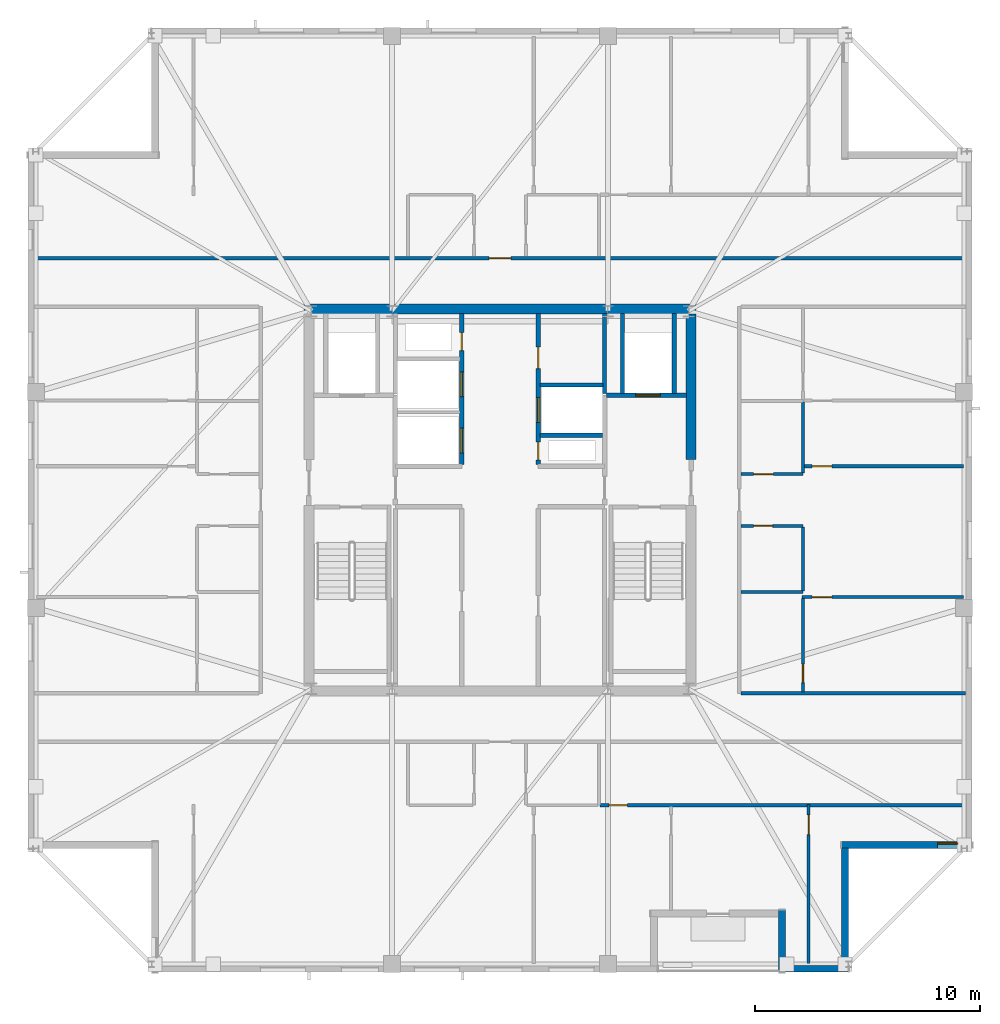
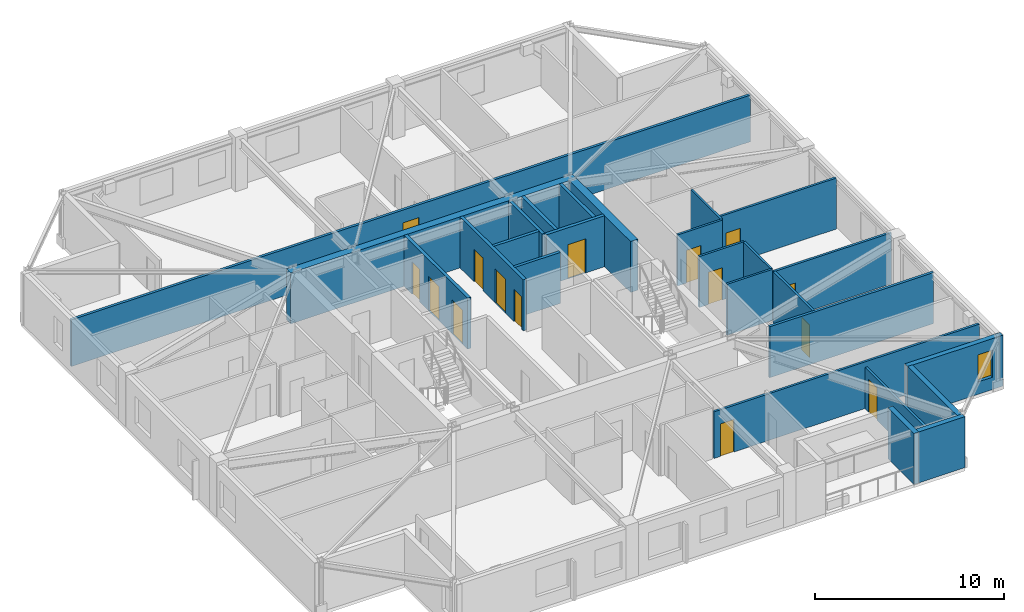
# One storey, part 9 of 15: 26 walls, 15 doors, 1 window, 16 openings.
"""IFC4 building model written with IfcOpenShell, lengths in metres."""

from ifc_helpers import new_model, si_unit, direction, frame, frame_2d, origin, place, context, subcontext, project, spatial, rectangle, extrude, material, layer, layer_set, type_object, element, fill, save


model = new_model("IFC4")

# Units and contexts
model_context = context("Model", 3, precision=1e-05, world=origin(), true_north=direction((0.0, 1.0)))
body_context = subcontext(model_context, "Body", "Model", "MODEL_VIEW")
ifc_project = project(units=[si_unit("LENGTHUNIT", "METRE"), si_unit("AREAUNIT", "SQUARE_METRE"), si_unit("VOLUMEUNIT", "CUBIC_METRE"), si_unit("PLANEANGLEUNIT", "RADIAN"), si_unit("MASSUNIT", "GRAM", prefix="KILO")], contexts=[model_context])

# Site, building, storey
site_placement = place(None, origin())
site = spatial("IfcSite", under=ifc_project, at=site_placement, CompositionType="ELEMENT")
building_placement = place(site_placement, origin())
building = spatial("IfcBuilding", under=site, at=building_placement, Name="Cairnveth Concourse Tower", CompositionType="ELEMENT")
storey_placement = place(building_placement, frame((0.0, 0.0, 287.5)))
storey = spatial("IfcBuildingStorey", under=building, at=storey_placement, Name="L79", CompositionType="ELEMENT", Elevation=287.5)

# Wall, opening, door
ifc_material_1 = material(Name="Gypsum Plasterboard Partition", Category="gypsum")
ifc_layer_1 = layer(ifc_material_1, 0.159912109375)
ifc_layer_set_1 = layer_set([ifc_layer_1], Name="Gypsum Plasterboard Partition")
wall_type_1 = type_object("IfcWallType", Name="ACOUSTIC PARTY WALL 180", PredefinedType="PARTITIONING", material=ifc_layer_set_1)
wall_1_placement = place(storey_placement, frame((31.284912109375, 49.75, 0.0), z_axis=(0.0, 0.0, 1.0), x_axis=(1.0, 0.0, 0.0)))
wall_1 = element("IfcWall", 1, at=wall_1_placement, inside=storey, type_object=wall_type_1, Name="Interior Wall IW-L79-034", PredefinedType="PARTITIONING", context=body_context, shape_type="SweptSolid", body=[
    extrude(rectangle(XDim=41.43017578125, YDim=0.159912109375, at=frame_2d((20.715087890625, 0.0))), origin(), (0.0, 0.0, 1.0), 3.009033203125),
])
opening_1_placement = place(wall_1_placement, frame((20.235107421875, 0.0, 0.0)))
opening_1 = element("IfcOpeningElement", 2, at=opening_1_placement, cuts=wall_1, Name="Opening ID10", PredefinedType="OPENING", context=body_context, shape_type="SweptSolid", body=[
    extrude(rectangle(XDim=0.9599609375, YDim=2.179931640625, at=frame_2d((0.47998046875, 1.08984375))), frame((0.0, 0.08984375, 0.0), z_axis=(0.0, -1.0, 0.0), x_axis=(1.0, 0.0, 0.0)), (0.0, 0.0, 1.0), 0.179931640625),
])
ifc_material_2 = material(Name="Solid Core Hardwood Timber Leaf", Category="wood")
door_type_1 = type_object("IfcDoorType", Name="FLAT ENTRANCE DOOR 960X2150", OperationType="NOTDEFINED", PredefinedType="DOOR", material=ifc_material_2)
door_1_placement = place(opening_1_placement, origin())
door_1 = element("IfcDoor", 3, at=door_1_placement, inside=storey, type_object=door_type_1, Name="Penthouse L79PN1 Entrance Door", OperationType="SINGLE_SWING_RIGHT", OverallHeight=2.179931640625, OverallWidth=0.9599609375, PredefinedType="DOOR", context=body_context, shape_type="SweptSolid", body=[
    extrude(rectangle(XDim=0.9599609375, YDim=2.179931640625, at=frame_2d((0.47998046875, 1.08984375))), frame((0.0, 0.02490234375, 0.0), z_axis=(0.0, -1.0, 0.0), x_axis=(1.0, 0.0, 0.0)), (0.0, 0.0, 1.0), 0.050048828125),
])
fill(opening_1, door_1)

# Walls
wall_2_placement = place(storey_placement, frame((62.715087890625, 30.39990234375, 0.0), z_axis=(0.0, 0.0, 1.0), x_axis=(1.0, 0.0, 0.0)))
element("IfcWall", 4, at=wall_2_placement, inside=storey, type_object=wall_type_1, Name="Interior Wall IW-L79-039", PredefinedType="PARTITIONING", context=body_context, shape_type="SweptSolid", body=[
    extrude(rectangle(XDim=10.0, YDim=0.159912109375, at=frame_2d((5.0, 0.0))), origin(), (0.0, 0.0, 1.0), 3.2900390625),
])
ifc_material_3 = material(Name="Concrete N65 (65 MPa)", Category="concrete")
ifc_layer_2 = layer(ifc_material_3, 0.449951171875)
ifc_layer_set_2 = layer_set([ifc_layer_2], Name="Concrete N65 (65 MPa)")
wall_type_2 = type_object("IfcWallType", Name="CORE SHEAR WALL 450", PredefinedType="SHEAR", material=ifc_layer_set_2)
wall_3_placement = place(storey_placement, frame((43.27490234375, 47.5, 0.0), z_axis=(0.0, 0.0, 1.0), x_axis=(1.0, 0.0, 0.0)))
element("IfcWall", 5, at=wall_3_placement, inside=storey, type_object=wall_type_2, Name="Core North Shear Wall L79", PredefinedType="SHEAR", context=body_context, shape_type="SweptSolid", body=[
    extrude(rectangle(XDim=17.4501953125, YDim=0.449951171875, at=frame_2d((8.72509765625, 0.0))), origin(), (0.0, 0.0, 1.0), 3.2900390625),
])
wall_4_placement = place(storey_placement, frame((60.5, 40.800048828125, 0.0), z_axis=(0.0, 0.0, 1.0), x_axis=(0.0, 1.0, 0.0)))
element("IfcWall", 6, at=wall_4_placement, inside=storey, type_object=wall_type_2, Name="Core East Shear Wall N L79", PredefinedType="SHEAR", context=body_context, shape_type="SweptSolid", body=[
    extrude(rectangle(XDim=6.48486328125, YDim=0.449951171875, at=frame_2d((3.242431640625, 0.0))), origin(), (0.0, 0.0, 1.0), 3.2900390625),
])
ifc_material_4 = material(Name="Concrete N50 (50 MPa)", Category="concrete")
ifc_layer_3 = layer(ifc_material_4, 0.179931640625)
ifc_layer_set_3 = layer_set([ifc_layer_3], Name="Concrete N50 (50 MPa)")
wall_type_3 = type_object("IfcWallType", Name="FIRE SHAFT WALL 180", PredefinedType="SOLIDWALL", material=ifc_layer_set_3)
wall_5_placement = place(storey_placement, frame((56.64990234375, 43.735107421875, 0.0), z_axis=(0.0, 0.0, 1.0), x_axis=(0.0, 1.0, 0.0)))
element("IfcWall", 7, at=wall_5_placement, inside=storey, type_object=wall_type_3, Name="Interior Wall IW-L79-030", PredefinedType="SOLIDWALL", context=body_context, shape_type="SweptSolid", body=[
    extrude(rectangle(XDim=3.554931640625, YDim=0.179931640625, at=frame_2d((1.77734375, 0.0))), origin(), (0.0, 0.0, 1.0), 3.2900390625),
])
wall_6_placement = place(storey_placement, frame((53.784912109375, 41.8798828125, 0.0), z_axis=(0.0, 0.0, 1.0), x_axis=(1.0, 0.0, 0.0)))
element("IfcWall", 8, at=wall_6_placement, inside=storey, type_object=wall_type_3, Name="Interior Wall IW-L79-031", PredefinedType="SOLIDWALL", context=body_context, shape_type="SweptSolid", body=[
    extrude(rectangle(XDim=2.780029296875, YDim=0.179931640625, at=frame_2d((1.39013671875, 0.0))), origin(), (0.0, 0.0, 1.0), 3.2900390625),
])
wall_7_placement = place(storey_placement, frame((53.784912109375, 44.1201171875, 0.0), z_axis=(0.0, 0.0, 1.0), x_axis=(1.0, 0.0, 0.0)))
element("IfcWall", 9, at=wall_7_placement, inside=storey, type_object=wall_type_3, Name="Interior Wall IW-L79-032", PredefinedType="SOLIDWALL", context=body_context, shape_type="SweptSolid", body=[
    extrude(rectangle(XDim=2.7900390625, YDim=0.179931640625, at=frame_2d((1.39501953125, 0.0))), origin(), (0.0, 0.0, 1.0), 3.2900390625),
])

# Wall, openings, doors
ifc_layer_4 = layer(ifc_material_4, 0.199951171875)
ifc_layer_set_4 = layer_set([ifc_layer_4], Name="Concrete N50 (50 MPa)")
wall_type_4 = type_object("IfcWallType", Name="FIRE SHAFT WALL 200", PredefinedType="SOLIDWALL", material=ifc_layer_set_4)
wall_8_placement = place(storey_placement, frame((50.300048828125, 40.5849609375, 0.0), z_axis=(0.0, 0.0, 1.0), x_axis=(0.0, 1.0, 0.0)))
wall_8 = element("IfcWall", 10, at=wall_8_placement, inside=storey, type_object=wall_type_4, Name="Interior Wall IW-L79-013", PredefinedType="SOLIDWALL", context=body_context, shape_type="SweptSolid", body=[
    extrude(rectangle(XDim=6.705078125, YDim=0.199951171875, at=frame_2d((3.3525390625, 0.0))), origin(), (0.0, 0.0, 1.0), 3.2900390625),
])
opening_2_placement = place(wall_8_placement, frame((0.514892578125, 0.0, 0.0)))
opening_2 = element("IfcOpeningElement", 11, at=opening_2_placement, cuts=wall_8, Name="Opening LD-1", PredefinedType="OPENING", context=body_context, shape_type="SweptSolid", body=[
    extrude(rectangle(XDim=1.10009765625, YDim=2.199951171875, at=frame_2d((0.550048828125, 1.10009765625))), frame((0.0, 0.10986328125, 0.0), z_axis=(0.0, -1.0, 0.0), x_axis=(1.0, 0.0, 0.0)), (0.0, 0.0, 1.0), 0.219970703125),
])
opening_3_placement = place(wall_8_placement, frame((3.014892578125, 0.0, 0.0)))
opening_3 = element("IfcOpeningElement", 12, at=opening_3_placement, cuts=wall_8, Name="Opening LD-1", PredefinedType="OPENING", context=body_context, shape_type="SweptSolid", body=[
    extrude(rectangle(XDim=1.10009765625, YDim=2.199951171875, at=frame_2d((0.550048828125, 1.10009765625))), frame((0.0, 0.10986328125, 0.0), z_axis=(0.0, -1.0, 0.0), x_axis=(1.0, 0.0, 0.0)), (0.0, 0.0, 1.0), 0.219970703125),
])
opening_4_placement = place(wall_8_placement, frame((5.06494140625, 0.0, 0.0)))
opening_4 = element("IfcOpeningElement", 13, at=opening_4_placement, cuts=wall_8, Name="Opening ID24", PredefinedType="OPENING", context=body_context, shape_type="SweptSolid", body=[
    extrude(rectangle(XDim=0.800048828125, YDim=2.080078125, at=frame_2d((0.39990234375, 1.0400390625))), frame((0.0, 0.10986328125, 0.0), z_axis=(0.0, -1.0, 0.0), x_axis=(1.0, 0.0, 0.0)), (0.0, 0.0, 1.0), 0.219970703125),
])
ifc_material_5 = material(Name="Architectural Bronze Anodised Aluminium 6063-T6", Category="aluminium")
door_type_2 = type_object("IfcDoorType", Name="LIFT LANDING DOOR 1100X2200", OperationType="SLIDING_TO_LEFT", PredefinedType="DOOR", material=ifc_material_5)
door_2_placement = place(opening_2_placement, origin())
door_2 = element("IfcDoor", 14, at=door_2_placement, inside=storey, type_object=door_type_2, Name="Lift PL7 Landing Door L79", OperationType="SLIDING_TO_LEFT", OverallHeight=2.199951171875, OverallWidth=1.10009765625, PredefinedType="DOOR", context=body_context, shape_type="SweptSolid", body=[
    extrude(rectangle(XDim=1.10009765625, YDim=2.199951171875, at=frame_2d((0.550048828125, 1.10009765625))), frame((0.0, 0.02490234375, 0.0), z_axis=(0.0, -1.0, 0.0), x_axis=(1.0, 0.0, 0.0)), (0.0, 0.0, 1.0), 0.050048828125),
])
fill(opening_2, door_2)
door_3_placement = place(opening_3_placement, origin())
door_3 = element("IfcDoor", 15, at=door_3_placement, inside=storey, type_object=door_type_2, Name="Lift PL8 Landing Door L79", OperationType="SLIDING_TO_LEFT", OverallHeight=2.199951171875, OverallWidth=1.10009765625, PredefinedType="DOOR", context=body_context, shape_type="SweptSolid", body=[
    extrude(rectangle(XDim=1.10009765625, YDim=2.199951171875, at=frame_2d((0.550048828125, 1.10009765625))), frame((0.0, 0.02490234375, 0.0), z_axis=(0.0, -1.0, 0.0), x_axis=(1.0, 0.0, 0.0)), (0.0, 0.0, 1.0), 0.050048828125),
])
fill(opening_3, door_3)
ifc_material_6 = material(Name="Steel Grade 350", Category="steel")
door_type_3 = type_object("IfcDoorType", Name="RISER ACCESS DOOR 800X2100", OperationType="NOTDEFINED", PredefinedType="DOOR", material=ifc_material_6)
door_4_placement = place(opening_4_placement, origin())
door_4 = element("IfcDoor", 16, at=door_4_placement, inside=storey, type_object=door_type_3, Name="NW Electrical Riser Access Door L79", OperationType="SINGLE_SWING_LEFT", OverallHeight=2.080078125, OverallWidth=0.800048828125, PredefinedType="DOOR", context=body_context, shape_type="SweptSolid", body=[
    extrude(rectangle(XDim=0.800048828125, YDim=2.080078125, at=frame_2d((0.39990234375, 1.0400390625))), frame((0.0, 0.02490234375, 0.0), z_axis=(0.0, -1.0, 0.0), x_axis=(1.0, 0.0, 0.0)), (0.0, 0.0, 1.0), 0.050048828125),
])
fill(opening_4, door_4)

wall_9_placement = place(storey_placement, frame((53.699951171875, 40.5849609375, 0.0), z_axis=(0.0, 0.0, 1.0), x_axis=(0.0, 1.0, 0.0)))
wall_9 = element("IfcWall", 17, at=wall_9_placement, inside=storey, type_object=wall_type_4, Name="Interior Wall IW-L79-014", PredefinedType="SOLIDWALL", context=body_context, shape_type="SweptSolid", body=[
    extrude(rectangle(XDim=6.705078125, YDim=0.199951171875, at=frame_2d((3.3525390625, 0.0))), origin(), (0.0, 0.0, 1.0), 3.2900390625),
])
opening_5_placement = place(wall_9_placement, frame((0.195068359375, 0.0, 0.0)))
opening_5 = element("IfcOpeningElement", 18, at=opening_5_placement, cuts=wall_9, Name="Opening ID24", PredefinedType="OPENING", context=body_context, shape_type="SweptSolid", body=[
    extrude(rectangle(XDim=0.800048828125, YDim=2.080078125, at=frame_2d((0.39990234375, 1.0400390625))), frame((0.0, 0.10986328125, 0.0), z_axis=(0.0, -1.0, 0.0), x_axis=(1.0, 0.0, 0.0)), (0.0, 0.0, 1.0), 0.219970703125),
])
opening_6_placement = place(wall_9_placement, frame((1.864990234375, 0.0, 0.0)))
opening_6 = element("IfcOpeningElement", 19, at=opening_6_placement, cuts=wall_9, Name="Opening LD-1", PredefinedType="OPENING", context=body_context, shape_type="SweptSolid", body=[
    extrude(rectangle(XDim=1.10009765625, YDim=2.199951171875, at=frame_2d((0.550048828125, 1.10009765625))), frame((0.0, 0.10986328125, 0.0), z_axis=(0.0, -1.0, 0.0), x_axis=(1.0, 0.0, 0.0)), (0.0, 0.0, 1.0), 0.219970703125),
])
opening_7_placement = place(wall_9_placement, frame((4.264892578125, 0.0, 0.0)))
opening_7 = element("IfcOpeningElement", 20, at=opening_7_placement, cuts=wall_9, Name="Opening ID25", PredefinedType="OPENING", context=body_context, shape_type="SweptSolid", body=[
    extrude(rectangle(XDim=0.949951171875, YDim=2.1201171875, at=frame_2d((0.47509765625, 1.06005859375))), frame((0.0, 0.10986328125, 0.0), z_axis=(0.0, -1.0, 0.0), x_axis=(1.0, 0.0, 0.0)), (0.0, 0.0, 1.0), 0.219970703125),
])
door_type_4 = type_object("IfcDoorType", Name="CORE ACCESSIBLE FIRE DOOR 950X2120", OperationType="NOTDEFINED", PredefinedType="DOOR", material=ifc_material_6)
door_5_placement = place(opening_7_placement, origin())
door_5 = element("IfcDoor", 21, at=door_5_placement, inside=storey, type_object=door_type_4, Name="Core NE Accessible WC Door L79", OperationType="SINGLE_SWING_RIGHT", OverallHeight=2.1201171875, OverallWidth=0.949951171875, PredefinedType="DOOR", context=body_context, shape_type="SweptSolid", body=[
    extrude(rectangle(XDim=0.949951171875, YDim=2.1201171875, at=frame_2d((0.47509765625, 1.06005859375))), frame((0.0, 0.02490234375, 0.0), z_axis=(0.0, -1.0, 0.0), x_axis=(1.0, 0.0, 0.0)), (0.0, 0.0, 1.0), 0.050048828125),
])
fill(opening_7, door_5)
door_6_placement = place(opening_6_placement, origin())
door_6 = element("IfcDoor", 22, at=door_6_placement, inside=storey, type_object=door_type_2, Name="Lift PL9 Landing Door L79", OperationType="SLIDING_TO_LEFT", OverallHeight=2.199951171875, OverallWidth=1.10009765625, PredefinedType="DOOR", context=body_context, shape_type="SweptSolid", body=[
    extrude(rectangle(XDim=1.10009765625, YDim=2.199951171875, at=frame_2d((0.550048828125, 1.10009765625))), frame((0.0, 0.02490234375, 0.0), z_axis=(0.0, -1.0, 0.0), x_axis=(1.0, 0.0, 0.0)), (0.0, 0.0, 1.0), 0.050048828125),
])
fill(opening_6, door_6)
door_7_placement = place(opening_5_placement, origin())
door_7 = element("IfcDoor", 23, at=door_7_placement, inside=storey, type_object=door_type_3, Name="Hydraulic Riser Door L79", OperationType="SINGLE_SWING_RIGHT", OverallHeight=2.080078125, OverallWidth=0.800048828125, PredefinedType="DOOR", context=body_context, shape_type="SweptSolid", body=[
    extrude(rectangle(XDim=0.800048828125, YDim=2.080078125, at=frame_2d((0.39990234375, 1.0400390625))), frame((0.0, 0.02490234375, 0.0), z_axis=(0.0, -1.0, 0.0), x_axis=(1.0, 0.0, 0.0)), (0.0, 0.0, 1.0), 0.050048828125),
])
fill(opening_5, door_7)

# Wall, opening, door
wall_10_placement = place(storey_placement, frame((56.735107421875, 43.64990234375, 0.0), z_axis=(0.0, 0.0, 1.0), x_axis=(1.0, 0.0, 0.0)))
wall_10 = element("IfcWall", 24, at=wall_10_placement, inside=storey, type_object=wall_type_4, Name="Interior Wall IW-L79-022", PredefinedType="SOLIDWALL", context=body_context, shape_type="SweptSolid", body=[
    extrude(rectangle(XDim=3.554931640625, YDim=0.199951171875, at=frame_2d((1.77734375, 0.0))), origin(), (0.0, 0.0, 1.0), 3.2900390625),
])
opening_8_placement = place(wall_10_placement, frame((1.294921875, 0.0, 0.0)))
opening_8 = element("IfcOpeningElement", 25, at=opening_8_placement, cuts=wall_10, Name="Opening LD-1", PredefinedType="OPENING", context=body_context, shape_type="SweptSolid", body=[
    extrude(rectangle(XDim=1.10009765625, YDim=2.199951171875, at=frame_2d((0.550048828125, 1.10009765625))), frame((0.0, 0.10986328125, 0.0), z_axis=(0.0, -1.0, 0.0), x_axis=(1.0, 0.0, 0.0)), (0.0, 0.0, 1.0), 0.219970703125),
])
door_8_placement = place(opening_8_placement, origin())
door_8 = element("IfcDoor", 26, at=door_8_placement, inside=storey, type_object=door_type_2, Name="Lift FFL2 Landing Door L79", OperationType="SLIDING_TO_LEFT", OverallHeight=2.199951171875, OverallWidth=1.10009765625, PredefinedType="DOOR", context=body_context, shape_type="SweptSolid", body=[
    extrude(rectangle(XDim=1.10009765625, YDim=2.199951171875, at=frame_2d((0.550048828125, 1.10009765625))), frame((0.0, 0.02490234375, 0.0), z_axis=(0.0, -1.0, 0.0), x_axis=(1.0, 0.0, 0.0)), (0.0, 0.0, 1.0), 0.050048828125),
])
fill(opening_8, door_8)

# Walls
for number, where, z_axis, x_axis, name in (
    (27, (57.449951171875, 43.735107421875, 0.0), (0.0, 0.0, 1.0), (0.0, 1.0, 0.0), "Interior Wall IW-L79-023"),
    (28, (59.75, 43.735107421875, 0.0), (0.0, 0.0, 1.0), (0.0, 1.0, 0.0), "Interior Wall IW-L79-024"),
):
    element("IfcWall", number, at=place(storey_placement, frame(where, z_axis=z_axis, x_axis=x_axis)), inside=storey, type_object=wall_type_4, Name=name, PredefinedType="SOLIDWALL", context=body_context, shape_type="SweptSolid", body=[
        extrude(rectangle(XDim=3.554931640625, YDim=0.199951171875, at=frame_2d((1.77734375, 0.0))), origin(), (0.0, 0.0, 1.0), 3.2900390625),
    ])

# Wall, opening, door
ifc_layer_5 = layer(ifc_material_1, 0.139892578125)
ifc_layer_set_5 = layer_set([ifc_layer_5], Name="Gypsum Plasterboard Partition")
wall_type_5 = type_object("IfcWallType", Name="GYPSUM STUD PARTITION 140", PredefinedType="PARTITIONING", material=ifc_layer_set_5)
wall_11_placement = place(storey_placement, frame((65.72998046875, 18.3798828125, 0.0), z_axis=(0.0, 0.0, 1.0), x_axis=(0.0, 1.0, 0.0)))
wall_11 = element("IfcWall", 29, at=wall_11_placement, inside=storey, type_object=wall_type_5, Name="Interior Wall IW-L79-048", PredefinedType="PARTITIONING", context=body_context, shape_type="SweptSolid", body=[
    extrude(rectangle(XDim=7.080078125, YDim=0.139892578125, at=frame_2d((3.5400390625, 0.0))), origin(), (0.0, 0.0, 1.0), 2.653076171875),
])
opening_9_placement = place(wall_11_placement, frame((5.72998046875, 0.0, 0.0)))
opening_9 = element("IfcOpeningElement", 30, at=opening_9_placement, cuts=wall_11, Name="Opening ID18", PredefinedType="OPENING", context=body_context, shape_type="SweptSolid", body=[
    extrude(rectangle(XDim=0.8798828125, YDim=2.10009765625, at=frame_2d((0.43994140625, 1.050048828125))), frame((0.0, 0.079833984375, 0.0), z_axis=(0.0, -1.0, 0.0), x_axis=(1.0, 0.0, 0.0)), (0.0, 0.0, 1.0), 0.159912109375),
])
door_type_5 = type_object("IfcDoorType", Name="INTERIOR SINGLE DOOR 880X2100", OperationType="NOTDEFINED", PredefinedType="DOOR", material=ifc_material_2)
door_9_placement = place(opening_9_placement, origin())
door_9 = element("IfcDoor", 31, at=door_9_placement, inside=storey, type_object=door_type_5, Name="L79PS1 Bedroom 2 Door", OperationType="SINGLE_SWING_LEFT", OverallHeight=2.10009765625, OverallWidth=0.8798828125, PredefinedType="DOOR", context=body_context, shape_type="SweptSolid", body=[
    extrude(rectangle(XDim=0.8798828125, YDim=2.10009765625, at=frame_2d((0.43994140625, 1.050048828125))), frame((0.0, 0.02490234375, 0.0), z_axis=(0.0, -1.0, 0.0), x_axis=(1.0, 0.0, 0.0)), (0.0, 0.0, 1.0), 0.050048828125),
])
fill(opening_9, door_9)

wall_12_placement = place(storey_placement, frame((56.449951171875, 25.419921875, 0.0), z_axis=(0.0, 0.0, 1.0), x_axis=(1.0, 0.0, 0.0)))
wall_12 = element("IfcWall", 32, at=wall_12_placement, inside=storey, type_object=wall_type_5, Name="Interior Wall IW-L79-049", PredefinedType="PARTITIONING", context=body_context, shape_type="SweptSolid", body=[
    extrude(rectangle(XDim=16.179931640625, YDim=0.139892578125, at=frame_2d((8.08984375, 0.0))), origin(), (0.0, 0.0, 1.0), 3.009033203125),
])
opening_10_placement = place(wall_12_placement, frame((0.39990234375, 0.0, 0.0)))
opening_10 = element("IfcOpeningElement", 33, at=opening_10_placement, cuts=wall_12, Name="Opening ID22", PredefinedType="OPENING", context=body_context, shape_type="SweptSolid", body=[
    extrude(rectangle(XDim=0.820068359375, YDim=2.10009765625, at=frame_2d((0.41015625, 1.050048828125))), frame((0.0, 0.079833984375, 0.0), z_axis=(0.0, -1.0, 0.0), x_axis=(1.0, 0.0, 0.0)), (0.0, 0.0, 1.0), 0.159912109375),
])
door_type_6 = type_object("IfcDoorType", Name="INTERIOR WC DOOR 820X2100", OperationType="NOTDEFINED", PredefinedType="DOOR", material=ifc_material_2)
door_10_placement = place(opening_10_placement, origin())
door_10 = element("IfcDoor", 34, at=door_10_placement, inside=storey, type_object=door_type_6, Name="L79PS1 Utility Door", OperationType="SINGLE_SWING_RIGHT", OverallHeight=2.10009765625, OverallWidth=0.820068359375, PredefinedType="DOOR", context=body_context, shape_type="SweptSolid", body=[
    extrude(rectangle(XDim=0.820068359375, YDim=2.10009765625, at=frame_2d((0.41015625, 1.050048828125))), frame((0.0, 0.02490234375, 0.0), z_axis=(0.0, -1.0, 0.0), x_axis=(1.0, 0.0, 0.0)), (0.0, 0.0, 1.0), 0.050048828125),
])
fill(opening_10, door_10)

wall_13_placement = place(storey_placement, frame((65.43994140625, 34.679931640625, 0.0), z_axis=(0.0, 0.0, 1.0), x_axis=(1.0, 0.0, 0.0)))
wall_13 = element("IfcWall", 35, at=wall_13_placement, inside=storey, type_object=wall_type_5, Name="Interior Wall IW-L79-080", PredefinedType="PARTITIONING", context=body_context, shape_type="SweptSolid", body=[
    extrude(rectangle(XDim=7.18017578125, YDim=0.139892578125, at=frame_2d((3.590087890625, 0.0))), origin(), (0.0, 0.0, 1.0), 3.2900390625),
])
opening_11_placement = place(wall_13_placement, frame((0.449951171875, 0.0, 0.0)))
opening_11 = element("IfcOpeningElement", 36, at=opening_11_placement, cuts=wall_13, Name="Opening ID18", PredefinedType="OPENING", context=body_context, shape_type="SweptSolid", body=[
    extrude(rectangle(XDim=0.8798828125, YDim=2.10009765625, at=frame_2d((0.43994140625, 1.050048828125))), frame((0.0, 0.079833984375, 0.0), z_axis=(0.0, -1.0, 0.0), x_axis=(1.0, 0.0, 0.0)), (0.0, 0.0, 1.0), 0.159912109375),
])
door_11_placement = place(opening_11_placement, origin())
door_11 = element("IfcDoor", 37, at=door_11_placement, inside=storey, type_object=door_type_5, Name="L79PE1 Master Bedroom Door", OperationType="SINGLE_SWING_RIGHT", OverallHeight=2.10009765625, OverallWidth=0.8798828125, PredefinedType="DOOR", context=body_context, shape_type="SweptSolid", body=[
    extrude(rectangle(XDim=0.8798828125, YDim=2.10009765625, at=frame_2d((0.43994140625, 1.050048828125))), frame((0.0, 0.02490234375, 0.0), z_axis=(0.0, -1.0, 0.0), x_axis=(1.0, 0.0, 0.0)), (0.0, 0.0, 1.0), 0.050048828125),
])
fill(opening_11, door_11)

wall_14_placement = place(storey_placement, frame((65.47998046875, 30.465087890625, 0.0), z_axis=(0.0, 0.0, 1.0), x_axis=(0.0, 1.0, 0.0)))
wall_14 = element("IfcWall", 38, at=wall_14_placement, inside=storey, type_object=wall_type_5, Name="Interior Wall IW-L79-081", PredefinedType="PARTITIONING", context=body_context, shape_type="SweptSolid", body=[
    extrude(rectangle(XDim=4.159912109375, YDim=0.139892578125, at=frame_2d((2.080078125, 0.0))), origin(), (0.0, 0.0, 1.0), 3.2900390625),
])
opening_12_placement = place(wall_14_placement, frame((0.4150390625, 0.0, 0.0)))
opening_12 = element("IfcOpeningElement", 39, at=opening_12_placement, cuts=wall_14, Name="Opening ID22", PredefinedType="OPENING", context=body_context, shape_type="SweptSolid", body=[
    extrude(rectangle(XDim=0.820068359375, YDim=2.10009765625, at=frame_2d((0.41015625, 1.050048828125))), frame((0.0, 0.079833984375, 0.0), z_axis=(0.0, -1.0, 0.0), x_axis=(1.0, 0.0, 0.0)), (0.0, 0.0, 1.0), 0.159912109375),
])
door_12_placement = place(opening_12_placement, origin())
door_12 = element("IfcDoor", 40, at=door_12_placement, inside=storey, type_object=door_type_6, Name="L79PE1 Dressing Door", OperationType="SINGLE_SWING_LEFT", OverallHeight=2.10009765625, OverallWidth=0.820068359375, PredefinedType="DOOR", context=body_context, shape_type="SweptSolid", body=[
    extrude(rectangle(XDim=0.820068359375, YDim=2.10009765625, at=frame_2d((0.41015625, 1.050048828125))), frame((0.0, 0.02490234375, 0.0), z_axis=(0.0, -1.0, 0.0), x_axis=(1.0, 0.0, 0.0)), (0.0, 0.0, 1.0), 0.050048828125),
])
fill(opening_12, door_12)

wall_15_placement = place(storey_placement, frame((65.530029296875, 40.5, 0.0), z_axis=(0.0, 0.0, 1.0), x_axis=(1.0, 0.0, 0.0)))
wall_15 = element("IfcWall", 41, at=wall_15_placement, inside=storey, type_object=wall_type_5, Name="Interior Wall IW-L79-084", PredefinedType="PARTITIONING", context=body_context, shape_type="SweptSolid", body=[
    extrude(rectangle(XDim=7.090087890625, YDim=0.139892578125, at=frame_2d((3.544921875, 0.0))), origin(), (0.0, 0.0, 1.0), 3.2900390625),
])
opening_13_placement = place(wall_15_placement, frame((0.360107421875, 0.0, 0.0)))
opening_13 = element("IfcOpeningElement", 42, at=opening_13_placement, cuts=wall_15, Name="Opening ID18", PredefinedType="OPENING", context=body_context, shape_type="SweptSolid", body=[
    extrude(rectangle(XDim=0.8798828125, YDim=2.10009765625, at=frame_2d((0.43994140625, 1.050048828125))), frame((0.0, 0.079833984375, 0.0), z_axis=(0.0, -1.0, 0.0), x_axis=(1.0, 0.0, 0.0)), (0.0, 0.0, 1.0), 0.159912109375),
])
door_13_placement = place(opening_13_placement, origin())
door_13 = element("IfcDoor", 43, at=door_13_placement, inside=storey, type_object=door_type_5, Name="L79PE1 Media Lounge Door", OperationType="SINGLE_SWING_LEFT", OverallHeight=2.10009765625, OverallWidth=0.8798828125, PredefinedType="DOOR", context=body_context, shape_type="SweptSolid", body=[
    extrude(rectangle(XDim=0.8798828125, YDim=2.10009765625, at=frame_2d((0.43994140625, 1.050048828125))), frame((0.0, 0.02490234375, 0.0), z_axis=(0.0, -1.0, 0.0), x_axis=(1.0, 0.0, 0.0)), (0.0, 0.0, 1.0), 0.050048828125),
])
fill(opening_13, door_13)

# Wall
ifc_layer_6 = layer(ifc_material_1, 0.1298828125)
ifc_layer_set_6 = layer_set([ifc_layer_6], Name="Gypsum Plasterboard Partition")
wall_type_6 = type_object("IfcWallType", Name="WET AREA PARTITION 140", PredefinedType="PLUMBINGWALL", material=ifc_layer_set_6)
wall_16_placement = place(storey_placement, frame((62.72998046875, 34.89990234375, 0.0), z_axis=(0.0, 0.0, 1.0), x_axis=(1.0, 0.0, 0.0)))
element("IfcWall", 44, at=wall_16_placement, inside=storey, type_object=wall_type_6, Name="Interior Wall IW-L79-074", PredefinedType="PLUMBINGWALL", context=body_context, shape_type="SweptSolid", body=[
    extrude(rectangle(XDim=2.75, YDim=0.1298828125, at=frame_2d((1.375, 0.0))), origin(), (0.0, 0.0, 1.0), 3.2900390625),
])

# Wall, opening, door
wall_17_placement = place(storey_placement, frame((62.72998046875, 37.85009765625, 0.0), z_axis=(0.0, 0.0, 1.0), x_axis=(1.0, 0.0, 0.0)))
wall_17 = element("IfcWall", 45, at=wall_17_placement, inside=storey, type_object=wall_type_6, Name="Interior Wall IW-L79-075", PredefinedType="PLUMBINGWALL", context=body_context, shape_type="SweptSolid", body=[
    extrude(rectangle(XDim=2.75, YDim=0.1298828125, at=frame_2d((1.375, 0.0))), origin(), (0.0, 0.0, 1.0), 3.2900390625),
])
opening_14_placement = place(wall_17_placement, frame((0.550048828125, 0.0, 0.0)))
opening_14 = element("IfcOpeningElement", 46, at=opening_14_placement, cuts=wall_17, Name="Opening ID21", PredefinedType="OPENING", context=body_context, shape_type="SweptSolid", body=[
    extrude(rectangle(XDim=0.85009765625, YDim=2.080078125, at=frame_2d((0.425048828125, 1.0400390625))), frame((0.0, 0.074951171875, 0.0), z_axis=(0.0, -1.0, 0.0), x_axis=(1.0, 0.0, 0.0)), (0.0, 0.0, 1.0), 0.14990234375),
])
door_type_7 = type_object("IfcDoorType", Name="INTERIOR WC DOOR 850X2100", OperationType="NOTDEFINED", PredefinedType="DOOR", material=ifc_material_2)
door_14_placement = place(opening_14_placement, origin())
door_14 = element("IfcDoor", 47, at=door_14_placement, inside=storey, type_object=door_type_7, Name="L79PE1 Bathroom Door", OperationType="SINGLE_SWING_LEFT", OverallHeight=2.080078125, OverallWidth=0.85009765625, PredefinedType="DOOR", context=body_context, shape_type="SweptSolid", body=[
    extrude(rectangle(XDim=0.85009765625, YDim=2.080078125, at=frame_2d((0.425048828125, 1.0400390625))), frame((0.0, 0.02490234375, 0.0), z_axis=(0.0, -1.0, 0.0), x_axis=(1.0, 0.0, 0.0)), (0.0, 0.0, 1.0), 0.050048828125),
])
fill(opening_14, door_14)

# Wall
wall_18_placement = place(storey_placement, frame((65.47998046875, 34.949951171875, 0.0), z_axis=(0.0, 0.0, 1.0), x_axis=(0.0, 1.0, 0.0)))
element("IfcWall", 48, at=wall_18_placement, inside=storey, type_object=wall_type_6, Name="Interior Wall IW-L79-076", PredefinedType="PLUMBINGWALL", context=body_context, shape_type="SweptSolid", body=[
    extrude(rectangle(XDim=2.85009765625, YDim=0.1298828125, at=frame_2d((1.425048828125, 0.0))), origin(), (0.0, 0.0, 1.0), 3.2900390625),
])

# Wall, opening, door
wall_19_placement = place(storey_placement, frame((62.72998046875, 40.14990234375, 0.0), z_axis=(0.0, 0.0, 1.0), x_axis=(1.0, 0.0, 0.0)))
wall_19 = element("IfcWall", 49, at=wall_19_placement, inside=storey, type_object=wall_type_6, Name="Interior Wall IW-L79-078", PredefinedType="PLUMBINGWALL", context=body_context, shape_type="SweptSolid", body=[
    extrude(rectangle(XDim=2.75, YDim=0.1298828125, at=frame_2d((1.375, 0.0))), origin(), (0.0, 0.0, 1.0), 3.2900390625),
])
opening_15_placement = place(wall_19_placement, frame((0.550048828125, 0.0, 0.0)))
opening_15 = element("IfcOpeningElement", 50, at=opening_15_placement, cuts=wall_19, Name="Opening ID18", PredefinedType="OPENING", context=body_context, shape_type="SweptSolid", body=[
    extrude(rectangle(XDim=0.8798828125, YDim=2.10009765625, at=frame_2d((0.43994140625, 1.050048828125))), frame((0.0, 0.074951171875, 0.0), z_axis=(0.0, -1.0, 0.0), x_axis=(1.0, 0.0, 0.0)), (0.0, 0.0, 1.0), 0.14990234375),
])
door_15_placement = place(opening_15_placement, origin())
door_15 = element("IfcDoor", 51, at=door_15_placement, inside=storey, type_object=door_type_5, Name="L79PE1 Kitchen Door", OperationType="SINGLE_SWING_RIGHT", OverallHeight=2.10009765625, OverallWidth=0.8798828125, PredefinedType="DOOR", context=body_context, shape_type="SweptSolid", body=[
    extrude(rectangle(XDim=0.8798828125, YDim=2.10009765625, at=frame_2d((0.43994140625, 1.050048828125))), frame((0.0, 0.02490234375, 0.0), z_axis=(0.0, -1.0, 0.0), x_axis=(1.0, 0.0, 0.0)), (0.0, 0.0, 1.0), 0.050048828125),
])
fill(opening_15, door_15)

# Wall
wall_20_placement = place(storey_placement, frame((65.47998046875, 40.199951171875, 0.0), z_axis=(0.0, 0.0, 1.0), x_axis=(0.0, 1.0, 0.0)))
element("IfcWall", 52, at=wall_20_placement, inside=storey, type_object=wall_type_6, Name="Interior Wall IW-L79-079", PredefinedType="PLUMBINGWALL", context=body_context, shape_type="SweptSolid", body=[
    extrude(rectangle(XDim=3.150146484375, YDim=0.1298828125, at=frame_2d((1.5751953125, 0.0))), origin(), (0.0, 0.0, 1.0), 3.2900390625),
])

# Wall, opening, window
ifc_material_7 = material(Name="Hawthorn Red-Ochre Fired Clay Brick Masonry", Category="masonry")
ifc_layer_7 = layer(ifc_material_7, 0.300048828125)
ifc_layer_set_7 = layer_set([ifc_layer_7], Name="Hawthorn Red-Ochre Fired Clay Brick Masonry")
wall_type_7 = type_object("IfcWallType", Name="ZONE 4 BRICK PIER SPANDREL WALL 300", PredefinedType="SOLIDWALL", material=ifc_layer_set_7)
wall_21_placement = place(storey_placement, frame((73.0, 23.64990234375, 0.0), z_axis=(0.0, 0.0, 1.0), x_axis=(-1.0, 0.0, 0.0)))
wall_21 = element("IfcWall", 53, at=wall_21_placement, inside=storey, type_object=wall_type_7, Name="Exterior Wall EW-L79-S10", PredefinedType="SOLIDWALL", context=body_context, shape_type="SweptSolid", body=[
    extrude(rectangle(XDim=5.800048828125, YDim=0.300048828125, at=frame_2d((2.89990234375, 0.0))), origin(), (0.0, 0.0, 1.0), 3.2900390625),
])
opening_16_placement = place(wall_21_placement, frame((0.6298828125, 0.0, 0.800048828125)))
opening_16 = element("IfcOpeningElement", 54, at=opening_16_placement, cuts=wall_21, Name="Opening W13", PredefinedType="OPENING", context=body_context, shape_type="SweptSolid", body=[
    extrude(rectangle(XDim=0.89990234375, YDim=1.75, at=frame_2d((0.449951171875, 0.875))), frame((0.0, 0.159912109375, 0.0), z_axis=(0.0, -1.0, 0.0), x_axis=(1.0, 0.0, 0.0)), (0.0, 0.0, 1.0), 0.320068359375),
])
ifc_material_8 = material(Name="Double Glazed Low-E Clear Glass", Category="glass")
window_type = type_object("IfcWindowType", Name="DEEP-SET BEDROOM LANCET WINDOW 900X1750", PartitioningType="DOUBLE_PANEL_VERTICAL", PredefinedType="WINDOW", material=ifc_material_8)
window_placement = place(opening_16_placement, origin())
window = element("IfcWindow", 55, at=window_placement, inside=storey, type_object=window_type, Name="Dwelling Lancet Window L79-DW2", OverallHeight=1.75, OverallWidth=0.89990234375, PartitioningType="SINGLE_PANEL", PredefinedType="WINDOW", context=body_context, shape_type="SweptSolid", body=[
    extrude(rectangle(XDim=0.89990234375, YDim=1.75, at=frame_2d((0.449951171875, 0.875))), frame((0.0, -0.0400390625, 0.0), z_axis=(0.0, -1.0, 0.0), x_axis=(1.0, 0.0, 0.0)), (0.0, 0.0, 1.0), 0.06005859375),
])
fill(opening_16, window)

# Walls
wall_22_placement = place(storey_placement, frame((67.35009765625, 23.52197265625, 0.0), z_axis=(0.0, 0.0, 1.0), x_axis=(0.0, -1.0, 0.0)))
element("IfcWall", 56, at=wall_22_placement, inside=storey, type_object=wall_type_7, Name="Exterior Wall EW-L79-S11", PredefinedType="SOLIDWALL", context=body_context, shape_type="SweptSolid", body=[
    extrude(rectangle(XDim=5.243896484375, YDim=0.300048828125, at=frame_2d((2.6220703125, 0.0))), origin(), (0.0, 0.0, 1.0), 3.2900390625),
])
wall_23_placement = place(storey_placement, frame((67.5, 18.14990234375, 0.0), z_axis=(0.0, 0.0, 1.0), x_axis=(-1.0, 0.0, 0.0)))
element("IfcWall", 57, at=wall_23_placement, inside=storey, type_object=wall_type_7, Name="Exterior Wall EW-L79-S12", PredefinedType="SOLIDWALL", context=body_context, shape_type="SweptSolid", body=[
    extrude(rectangle(XDim=2.822021484375, YDim=0.300048828125, at=frame_2d((1.4111328125, 0.0))), origin(), (0.0, 0.0, 1.0), 3.2900390625),
])
wall_24_placement = place(storey_placement, frame((64.550048828125, 18.0, 0.0), z_axis=(0.0, 0.0, 1.0), x_axis=(0.0, 1.0, 0.0)))
element("IfcWall", 58, at=wall_24_placement, inside=storey, type_object=wall_type_7, Name="Exterior Wall EW-L79-S13", PredefinedType="SOLIDWALL", context=body_context, shape_type="SweptSolid", body=[
    extrude(rectangle(XDim=2.75, YDim=0.300048828125, at=frame_2d((1.375, 0.0))), origin(), (0.0, 0.0, 1.0), 3.2900390625),
])

save(model, "model.ifc")
